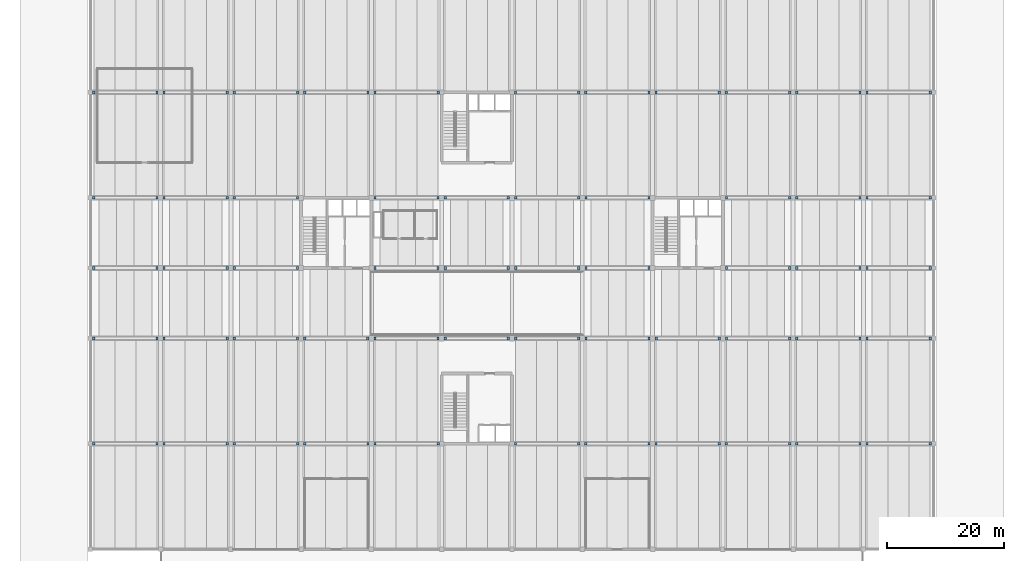
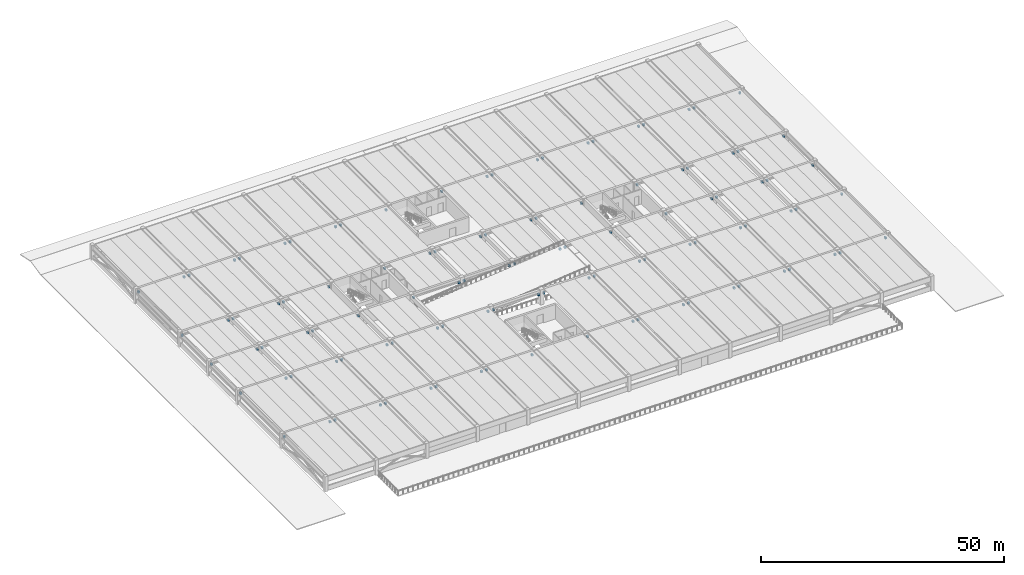
# One storey, part 11 of 16: 108 discrete accessories.
"""IFC4 building model written with IfcOpenShell, lengths in metres."""

from ifc_helpers import new_model, si_unit, direction, frame, origin, origin_2d, place, context, subcontext, project, spatial, rectangle, extrude, material, type_object, element, save


model = new_model("IFC4")

# Units and contexts
model_context = context("Model", 3, precision=1e-05, world=origin(), true_north=direction((0.0, 1.0)))
body_context = subcontext(model_context, "Body", "Model", "MODEL_VIEW")
ifc_project = project(units=[si_unit("LENGTHUNIT", "METRE"), si_unit("AREAUNIT", "SQUARE_METRE"), si_unit("VOLUMEUNIT", "CUBIC_METRE"), si_unit("PLANEANGLEUNIT", "RADIAN"), si_unit("MASSUNIT", "GRAM", prefix="KILO")], contexts=[model_context])

# Site, building, storey
site_placement = place(None, origin())
site = spatial("IfcSite", under=ifc_project, at=site_placement, CompositionType="ELEMENT")
building_placement = place(site_placement, origin())
building = spatial("IfcBuilding", under=site, at=building_placement, Name="Girod Span Mobility Hub", CompositionType="ELEMENT")
storey_placement = place(building_placement, frame((0.0, 0.0, 21.0)))
storey = spatial("IfcBuildingStorey", under=building, at=storey_placement, Name="L05", CompositionType="ELEMENT", Elevation=21.0)

# Discrete accessories
ifc_material = material(Name="Concrete C40/50", Category="concrete")
discrete_accessory_type = type_object("IfcDiscreteAccessoryType", Name="ACC-CORBEL-480", PredefinedType="BRACKET", material=ifc_material)
for number, where, z_axis, x_axis, name in (
    (1, (12.572998046875, 27.0, 2.257080078125), (0.0, 0.0, 1.0), (1.0, 0.0, 0.0), "Precast Corbel 2/C-L L05"),
    (2, (23.402099609375, 27.0, 2.257080078125), (0.0, 0.0, 1.0), (1.0, 0.0, 0.0), "Precast Corbel 2/C-R L05"),
    (3, (24.597900390625, 27.0, 2.257080078125), (0.0, 0.0, 1.0), (1.0, 0.0, 0.0), "Precast Corbel 3/C-L L05"),
    (4, (35.402099609375, 27.0, 2.257080078125), (0.0, 0.0, 1.0), (1.0, 0.0, 0.0), "Precast Corbel 3/C-R L05"),
    (5, (36.597900390625, 27.0, 2.257080078125), (0.0, 0.0, 1.0), (1.0, 0.0, 0.0), "Precast Corbel 4/C-L L05"),
    (6, (47.402099609375, 27.0, 2.257080078125), (0.0, 0.0, 1.0), (1.0, 0.0, 0.0), "Precast Corbel 4/C-R L05"),
    (7, (48.597900390625, 27.0, 2.257080078125), (0.0, 0.0, 1.0), (1.0, 0.0, 0.0), "Precast Corbel 5/C-L L05"),
    (8, (59.402099609375, 27.0, 2.257080078125), (0.0, 0.0, 1.0), (1.0, 0.0, 0.0), "Precast Corbel 5/C-R L05"),
    (9, (60.597900390625, 27.0, 2.257080078125), (0.0, 0.0, 1.0), (1.0, 0.0, 0.0), "Precast Corbel 6/C-L L05"),
    (10, (71.402099609375, 27.0, 2.257080078125), (0.0, 0.0, 1.0), (1.0, 0.0, 0.0), "Precast Corbel 6/C-R L05"),
    (11, (84.597900390625, 27.0, 2.257080078125), (0.0, 0.0, 1.0), (1.0, 0.0, 0.0), "Precast Corbel 8/C-L L05"),
    (12, (95.402099609375, 27.0, 2.257080078125), (0.0, 0.0, 1.0), (1.0, 0.0, 0.0), "Precast Corbel 8/C-R L05"),
    (13, (96.597900390625, 27.0, 2.257080078125), (0.0, 0.0, 1.0), (1.0, 0.0, 0.0), "Precast Corbel 9/C-L L05"),
    (14, (107.402099609375, 27.0, 2.257080078125), (0.0, 0.0, 1.0), (1.0, 0.0, 0.0), "Precast Corbel 9/C-R L05"),
    (15, (108.597900390625, 27.0, 2.257080078125), (0.0, 0.0, 1.0), (1.0, 0.0, 0.0), "Precast Corbel 10/C-L L05"),
    (16, (119.402099609375, 27.0, 2.257080078125), (0.0, 0.0, 1.0), (1.0, 0.0, 0.0), "Precast Corbel 10/C-R L05"),
    (17, (120.597900390625, 27.0, 2.257080078125), (0.0, 0.0, 1.0), (1.0, 0.0, 0.0), "Precast Corbel 11/C-L L05"),
    (18, (131.402099609375, 27.0, 2.257080078125), (0.0, 0.0, 1.0), (1.0, 0.0, 0.0), "Precast Corbel 11/C-R L05"),
    (19, (132.597900390625, 27.0, 2.257080078125), (0.0, 0.0, 1.0), (1.0, 0.0, 0.0), "Precast Corbel 12/C-L L05"),
    (20, (143.402099609375, 27.0, 2.257080078125), (0.0, 0.0, 1.0), (1.0, 0.0, 0.0), "Precast Corbel 12/C-R L05"),
    (21, (144.597900390625, 27.0, 2.257080078125), (0.0, 0.0, 1.0), (1.0, 0.0, 0.0), "Precast Corbel 13/C-L L05"),
    (22, (155.427001953125, 27.0, 2.257080078125), (0.0, 0.0, 1.0), (1.0, 0.0, 0.0), "Precast Corbel 13/C-R L05"),
    (23, (12.572998046875, 45.0, 2.257080078125), (0.0, 0.0, 1.0), (1.0, 0.0, 0.0), "Precast Corbel 2/D-L L05"),
    (24, (23.402099609375, 45.0, 2.257080078125), (0.0, 0.0, 1.0), (1.0, 0.0, 0.0), "Precast Corbel 2/D-R L05"),
    (25, (24.597900390625, 45.0, 2.257080078125), (0.0, 0.0, 1.0), (1.0, 0.0, 0.0), "Precast Corbel 3/D-L L05"),
    (26, (35.402099609375, 45.0, 2.257080078125), (0.0, 0.0, 1.0), (1.0, 0.0, 0.0), "Precast Corbel 3/D-R L05"),
    (27, (36.597900390625, 45.0, 2.257080078125), (0.0, 0.0, 1.0), (1.0, 0.0, 0.0), "Precast Corbel 4/D-L L05"),
    (28, (47.376953125, 45.0, 2.257080078125), (0.0, 0.0, 1.0), (1.0, 0.0, 0.0), "Precast Corbel 4/D-R L05"),
    (29, (48.623046875, 45.0, 2.257080078125), (0.0, 0.0, 1.0), (1.0, 0.0, 0.0), "Precast Corbel 5/D-L L05"),
    (30, (59.376953125, 45.0, 2.257080078125), (0.0, 0.0, 1.0), (1.0, 0.0, 0.0), "Precast Corbel 5/D-R L05"),
    (31, (60.623046875, 45.0, 2.257080078125), (0.0, 0.0, 1.0), (1.0, 0.0, 0.0), "Precast Corbel 6/D-L L05"),
    (32, (71.376953125, 45.0, 2.257080078125), (0.0, 0.0, 1.0), (1.0, 0.0, 0.0), "Precast Corbel 6/D-R L05"),
    (33, (72.623046875, 45.0, 2.257080078125), (0.0, 0.0, 1.0), (1.0, 0.0, 0.0), "Precast Corbel 7/D-L L05"),
    (34, (83.376953125, 45.0, 2.257080078125), (0.0, 0.0, 1.0), (1.0, 0.0, 0.0), "Precast Corbel 7/D-R L05"),
    (35, (84.623046875, 45.0, 2.257080078125), (0.0, 0.0, 1.0), (1.0, 0.0, 0.0), "Precast Corbel 8/D-L L05"),
    (36, (95.376953125, 45.0, 2.257080078125), (0.0, 0.0, 1.0), (1.0, 0.0, 0.0), "Precast Corbel 8/D-R L05"),
    (37, (96.623046875, 45.0, 2.257080078125), (0.0, 0.0, 1.0), (1.0, 0.0, 0.0), "Precast Corbel 9/D-L L05"),
    (38, (107.376953125, 45.0, 2.257080078125), (0.0, 0.0, 1.0), (1.0, 0.0, 0.0), "Precast Corbel 9/D-R L05"),
    (39, (108.623046875, 45.0, 2.257080078125), (0.0, 0.0, 1.0), (1.0, 0.0, 0.0), "Precast Corbel 10/D-L L05"),
    (40, (119.376953125, 45.0, 2.257080078125), (0.0, 0.0, 1.0), (1.0, 0.0, 0.0), "Precast Corbel 10/D-R L05"),
    (41, (120.623046875, 45.0, 2.257080078125), (0.0, 0.0, 1.0), (1.0, 0.0, 0.0), "Precast Corbel 11/D-L L05"),
    (42, (131.402099609375, 45.0, 2.257080078125), (0.0, 0.0, 1.0), (1.0, 0.0, 0.0), "Precast Corbel 11/D-R L05"),
    (43, (132.597900390625, 45.0, 2.257080078125), (0.0, 0.0, 1.0), (1.0, 0.0, 0.0), "Precast Corbel 12/D-L L05"),
    (44, (143.402099609375, 45.0, 2.257080078125), (0.0, 0.0, 1.0), (1.0, 0.0, 0.0), "Precast Corbel 12/D-R L05"),
    (45, (144.597900390625, 45.0, 2.257080078125), (0.0, 0.0, 1.0), (1.0, 0.0, 0.0), "Precast Corbel 13/D-L L05"),
    (46, (155.427001953125, 45.0, 2.257080078125), (0.0, 0.0, 1.0), (1.0, 0.0, 0.0), "Precast Corbel 13/D-R L05"),
    (47, (12.572998046875, 57.0, 2.257080078125), (0.0, 0.0, 1.0), (1.0, 0.0, 0.0), "Precast Corbel 2/E-L L05"),
    (48, (23.402099609375, 57.0, 2.257080078125), (0.0, 0.0, 1.0), (1.0, 0.0, 0.0), "Precast Corbel 2/E-R L05"),
    (49, (24.597900390625, 57.0, 2.257080078125), (0.0, 0.0, 1.0), (1.0, 0.0, 0.0), "Precast Corbel 3/E-L L05"),
    (50, (35.402099609375, 57.0, 2.257080078125), (0.0, 0.0, 1.0), (1.0, 0.0, 0.0), "Precast Corbel 3/E-R L05"),
    (51, (36.597900390625, 57.0, 2.257080078125), (0.0, 0.0, 1.0), (1.0, 0.0, 0.0), "Precast Corbel 4/E-L L05"),
    (52, (47.376953125, 57.0, 2.257080078125), (0.0, 0.0, 1.0), (1.0, 0.0, 0.0), "Precast Corbel 4/E-R L05"),
    (53, (60.623046875, 57.0, 2.257080078125), (0.0, 0.0, 1.0), (1.0, 0.0, 0.0), "Precast Corbel 6/E-L L05"),
    (54, (71.376953125, 57.0, 2.257080078125), (0.0, 0.0, 1.0), (1.0, 0.0, 0.0), "Precast Corbel 6/E-R L05"),
    (55, (72.623046875, 57.0, 2.257080078125), (0.0, 0.0, 1.0), (1.0, 0.0, 0.0), "Precast Corbel 7/E-L L05"),
    (56, (83.376953125, 57.0, 2.257080078125), (0.0, 0.0, 1.0), (1.0, 0.0, 0.0), "Precast Corbel 7/E-R L05"),
    (57, (84.623046875, 57.0, 2.257080078125), (0.0, 0.0, 1.0), (1.0, 0.0, 0.0), "Precast Corbel 8/E-L L05"),
    (58, (95.376953125, 57.0, 2.257080078125), (0.0, 0.0, 1.0), (1.0, 0.0, 0.0), "Precast Corbel 8/E-R L05"),
    (59, (96.623046875, 57.0, 2.257080078125), (0.0, 0.0, 1.0), (1.0, 0.0, 0.0), "Precast Corbel 9/E-L L05"),
    (60, (107.376953125, 57.0, 2.257080078125), (0.0, 0.0, 1.0), (1.0, 0.0, 0.0), "Precast Corbel 9/E-R L05"),
    (61, (120.623046875, 57.0, 2.257080078125), (0.0, 0.0, 1.0), (1.0, 0.0, 0.0), "Precast Corbel 11/E-L L05"),
    (62, (131.402099609375, 57.0, 2.257080078125), (0.0, 0.0, 1.0), (1.0, 0.0, 0.0), "Precast Corbel 11/E-R L05"),
    (63, (132.597900390625, 57.0, 2.257080078125), (0.0, 0.0, 1.0), (1.0, 0.0, 0.0), "Precast Corbel 12/E-L L05"),
    (64, (143.402099609375, 57.0, 2.257080078125), (0.0, 0.0, 1.0), (1.0, 0.0, 0.0), "Precast Corbel 12/E-R L05"),
    (65, (144.597900390625, 57.0, 2.257080078125), (0.0, 0.0, 1.0), (1.0, 0.0, 0.0), "Precast Corbel 13/E-L L05"),
    (66, (155.427001953125, 57.0, 2.257080078125), (0.0, 0.0, 1.0), (1.0, 0.0, 0.0), "Precast Corbel 13/E-R L05"),
    (67, (12.572998046875, 69.0, 2.257080078125), (0.0, 0.0, 1.0), (1.0, 0.0, 0.0), "Precast Corbel 2/F-L L05"),
    (68, (23.402099609375, 69.0, 2.257080078125), (0.0, 0.0, 1.0), (1.0, 0.0, 0.0), "Precast Corbel 2/F-R L05"),
    (69, (24.597900390625, 69.0, 2.257080078125), (0.0, 0.0, 1.0), (1.0, 0.0, 0.0), "Precast Corbel 3/F-L L05"),
    (70, (35.402099609375, 69.0, 2.257080078125), (0.0, 0.0, 1.0), (1.0, 0.0, 0.0), "Precast Corbel 3/F-R L05"),
    (71, (36.597900390625, 69.0, 2.257080078125), (0.0, 0.0, 1.0), (1.0, 0.0, 0.0), "Precast Corbel 4/F-L L05"),
    (72, (47.376953125, 69.0, 2.257080078125), (0.0, 0.0, 1.0), (1.0, 0.0, 0.0), "Precast Corbel 4/F-R L05"),
    (73, (60.623046875, 69.0, 2.257080078125), (0.0, 0.0, 1.0), (1.0, 0.0, 0.0), "Precast Corbel 6/F-L L05"),
    (74, (71.376953125, 69.0, 2.257080078125), (0.0, 0.0, 1.0), (1.0, 0.0, 0.0), "Precast Corbel 6/F-R L05"),
    (75, (72.623046875, 69.0, 2.257080078125), (0.0, 0.0, 1.0), (1.0, 0.0, 0.0), "Precast Corbel 7/F-L L05"),
    (76, (83.376953125, 69.0, 2.257080078125), (0.0, 0.0, 1.0), (1.0, 0.0, 0.0), "Precast Corbel 7/F-R L05"),
    (77, (84.623046875, 69.0, 2.257080078125), (0.0, 0.0, 1.0), (1.0, 0.0, 0.0), "Precast Corbel 8/F-L L05"),
    (78, (95.376953125, 69.0, 2.257080078125), (0.0, 0.0, 1.0), (1.0, 0.0, 0.0), "Precast Corbel 8/F-R L05"),
    (79, (96.623046875, 69.0, 2.257080078125), (0.0, 0.0, 1.0), (1.0, 0.0, 0.0), "Precast Corbel 9/F-L L05"),
    (80, (107.376953125, 69.0, 2.257080078125), (0.0, 0.0, 1.0), (1.0, 0.0, 0.0), "Precast Corbel 9/F-R L05"),
    (81, (120.623046875, 69.0, 2.257080078125), (0.0, 0.0, 1.0), (1.0, 0.0, 0.0), "Precast Corbel 11/F-L L05"),
    (82, (131.402099609375, 69.0, 2.257080078125), (0.0, 0.0, 1.0), (1.0, 0.0, 0.0), "Precast Corbel 11/F-R L05"),
    (83, (132.597900390625, 69.0, 2.257080078125), (0.0, 0.0, 1.0), (1.0, 0.0, 0.0), "Precast Corbel 12/F-L L05"),
    (84, (143.402099609375, 69.0, 2.257080078125), (0.0, 0.0, 1.0), (1.0, 0.0, 0.0), "Precast Corbel 12/F-R L05"),
    (85, (144.597900390625, 69.0, 2.257080078125), (0.0, 0.0, 1.0), (1.0, 0.0, 0.0), "Precast Corbel 13/F-L L05"),
    (86, (155.427001953125, 69.0, 2.257080078125), (0.0, 0.0, 1.0), (1.0, 0.0, 0.0), "Precast Corbel 13/F-R L05"),
    (87, (12.572998046875, 87.0, 2.257080078125), (0.0, 0.0, 1.0), (1.0, 0.0, 0.0), "Precast Corbel 2/G-L L05"),
    (88, (23.402099609375, 87.0, 2.257080078125), (0.0, 0.0, 1.0), (1.0, 0.0, 0.0), "Precast Corbel 2/G-R L05"),
    (89, (24.597900390625, 87.0, 2.257080078125), (0.0, 0.0, 1.0), (1.0, 0.0, 0.0), "Precast Corbel 3/G-L L05"),
    (90, (35.402099609375, 87.0, 2.257080078125), (0.0, 0.0, 1.0), (1.0, 0.0, 0.0), "Precast Corbel 3/G-R L05"),
    (91, (36.597900390625, 87.0, 2.257080078125), (0.0, 0.0, 1.0), (1.0, 0.0, 0.0), "Precast Corbel 4/G-L L05"),
    (92, (47.402099609375, 87.0, 2.257080078125), (0.0, 0.0, 1.0), (1.0, 0.0, 0.0), "Precast Corbel 4/G-R L05"),
    (93, (48.597900390625, 87.0, 2.257080078125), (0.0, 0.0, 1.0), (1.0, 0.0, 0.0), "Precast Corbel 5/G-L L05"),
    (94, (59.402099609375, 87.0, 2.257080078125), (0.0, 0.0, 1.0), (1.0, 0.0, 0.0), "Precast Corbel 5/G-R L05"),
    (95, (60.597900390625, 87.0, 2.257080078125), (0.0, 0.0, 1.0), (1.0, 0.0, 0.0), "Precast Corbel 6/G-L L05"),
    (96, (71.402099609375, 87.0, 2.257080078125), (0.0, 0.0, 1.0), (1.0, 0.0, 0.0), "Precast Corbel 6/G-R L05"),
    (97, (84.597900390625, 87.0, 2.257080078125), (0.0, 0.0, 1.0), (1.0, 0.0, 0.0), "Precast Corbel 8/G-L L05"),
    (98, (95.402099609375, 87.0, 2.257080078125), (0.0, 0.0, 1.0), (1.0, 0.0, 0.0), "Precast Corbel 8/G-R L05"),
    (99, (96.597900390625, 87.0, 2.257080078125), (0.0, 0.0, 1.0), (1.0, 0.0, 0.0), "Precast Corbel 9/G-L L05"),
    (100, (107.402099609375, 87.0, 2.257080078125), (0.0, 0.0, 1.0), (1.0, 0.0, 0.0), "Precast Corbel 9/G-R L05"),
    (101, (108.597900390625, 87.0, 2.257080078125), (0.0, 0.0, 1.0), (1.0, 0.0, 0.0), "Precast Corbel 10/G-L L05"),
    (102, (119.402099609375, 87.0, 2.257080078125), (0.0, 0.0, 1.0), (1.0, 0.0, 0.0), "Precast Corbel 10/G-R L05"),
    (103, (120.597900390625, 87.0, 2.257080078125), (0.0, 0.0, 1.0), (1.0, 0.0, 0.0), "Precast Corbel 11/G-L L05"),
    (104, (131.402099609375, 87.0, 2.257080078125), (0.0, 0.0, 1.0), (1.0, 0.0, 0.0), "Precast Corbel 11/G-R L05"),
    (105, (132.597900390625, 87.0, 2.257080078125), (0.0, 0.0, 1.0), (1.0, 0.0, 0.0), "Precast Corbel 12/G-L L05"),
    (106, (143.402099609375, 87.0, 2.257080078125), (0.0, 0.0, 1.0), (1.0, 0.0, 0.0), "Precast Corbel 12/G-R L05"),
    (107, (144.597900390625, 87.0, 2.257080078125), (0.0, 0.0, 1.0), (1.0, 0.0, 0.0), "Precast Corbel 13/G-L L05"),
    (108, (155.427001953125, 87.0, 2.257080078125), (0.0, 0.0, 1.0), (1.0, 0.0, 0.0), "Precast Corbel 13/G-R L05"),
):
    element("IfcDiscreteAccessory", number, at=place(storey_placement, frame(where, z_axis=z_axis, x_axis=x_axis)), inside=storey, type_object=discrete_accessory_type, Name=name, PredefinedType="BRACKET", context=body_context, shape_type="SweptSolid", body=[
        extrude(rectangle(XDim=0.39990234375, YDim=0.5, at=origin_2d()), origin(), (0.0, 0.0, 1.0), 0.47998046875),
    ])

save(model, "model.ifc")
